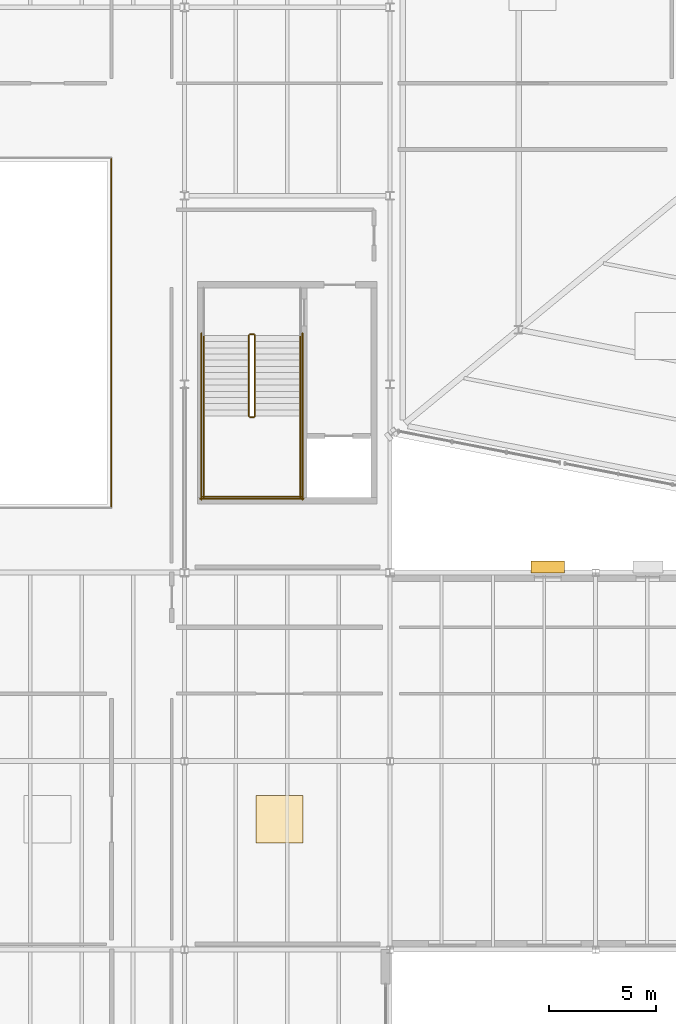
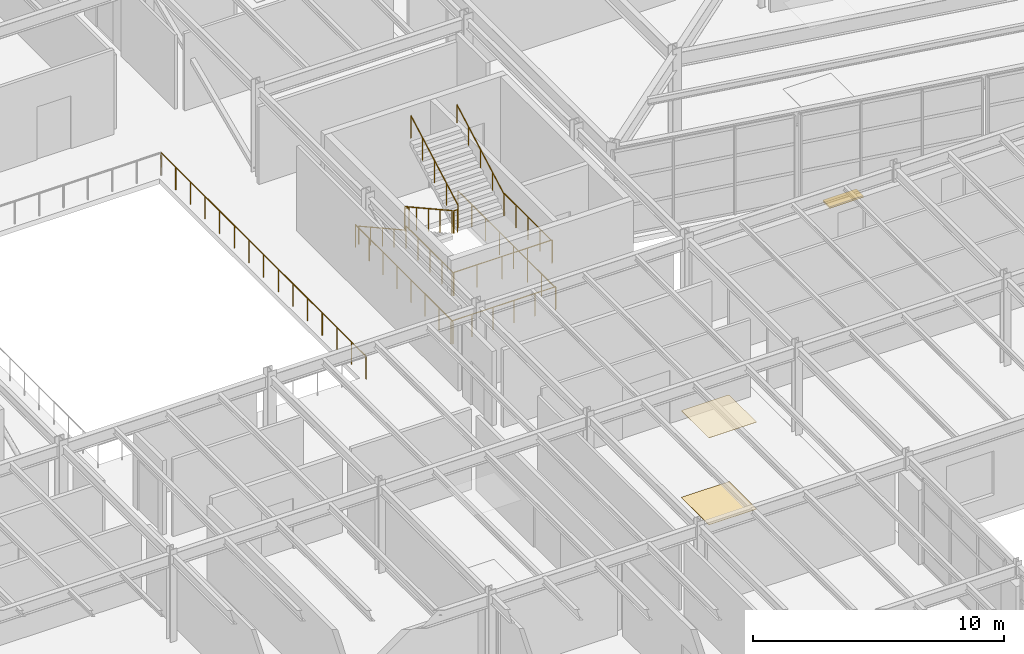
# One storey, part 69 of 77: 13 railings, 2 coverings, 1 shading device.
"""IFC4 building model written with IfcOpenShell, lengths in metres."""

from ifc_helpers import new_model, si_unit, direction, frame, origin, origin_2d, place, context, subcontext, project, spatial, rectangle, circle, extrude, material, layer, layer_set, type_object, element, save


model = new_model("IFC4")

# Units and contexts
model_context = context("Model", 3, precision=1e-05, world=origin(), true_north=direction((0.0, 1.0)))
body_context = subcontext(model_context, "Body", "Model", "MODEL_VIEW")
ifc_project = project(units=[si_unit("LENGTHUNIT", "METRE"), si_unit("AREAUNIT", "SQUARE_METRE"), si_unit("VOLUMEUNIT", "CUBIC_METRE"), si_unit("PLANEANGLEUNIT", "RADIAN"), si_unit("MASSUNIT", "GRAM", prefix="KILO")], contexts=[model_context])

# Site, building, storey
site_placement = place(None, origin())
site = spatial("IfcSite", under=ifc_project, at=site_placement, CompositionType="ELEMENT")
building_placement = place(site_placement, origin())
building = spatial("IfcBuilding", under=site, at=building_placement, Name="Sarnbrook Museum", CompositionType="ELEMENT")
storey_placement = place(building_placement, frame((0.0, 0.0, 5.60009765625)))
storey = spatial("IfcBuildingStorey", under=building, at=storey_placement, Name="L01", CompositionType="ELEMENT", Elevation=5.60009765625)

# Shading device
ifc_material_1 = material(Name="Patinated Architectural Bronze")
shading_device_type = type_object("IfcShadingDeviceType", Name="BriseSoleil_Horizontal", PredefinedType="SHUTTER", material=ifc_material_1)
shading_device_placement = place(storey_placement, frame((126.55908203125, 57.070068359375, 3.2646484375), z_axis=(0.0, 0.0, 1.0), x_axis=(1.0, 0.0, 0.0)))
element("IfcShadingDevice", 1, at=shading_device_placement, inside=storey, type_object=shading_device_type, Name="Horizontal Bronze Brise-Soleil BS-013", PredefinedType="SHUTTER", context=body_context, shape_type="SweptSolid", body=[
    extrude(rectangle(XDim=1.550048828125, YDim=0.550048828125, at=origin_2d()), origin(), (0.0, 0.0, 1.0), 0.090087890625),
])

# Coverings
ifc_material_2 = material(Name="Fire-Rated Acoustic Gypsum Plasterboard")
ifc_layer_1 = layer(ifc_material_2, 0.01806640625)
ifc_layer_set_1 = layer_set([ifc_layer_1], Name="Fire-Rated Acoustic Gypsum Plasterboard")
covering_type_1 = type_object("IfcCoveringType", Name="Ceil_Acoustic18", PredefinedType="CEILING", material=ifc_layer_set_1)
covering_1_placement = place(storey_placement, frame((114.034912109375, 45.284912109375, 4.23193359375), z_axis=(0.0, 0.0, 1.0), x_axis=(1.0, 0.0, 0.0)))
element("IfcCovering", 2, at=covering_1_placement, inside=storey, type_object=covering_type_1, Name="Acoustic Ceiling Baffle Panel L01-22", PredefinedType="CEILING", context=body_context, shape_type="SweptSolid", body=[
    extrude(rectangle(XDim=2.199951171875, YDim=2.199951171875, at=origin_2d()), origin(), (0.0, 0.0, 1.0), 0.01806640625),
])
ifc_material_3 = material(Name="Honed Bluestone and Marble Terrazzo Flooring", Category="masonry")
ifc_layer_2 = layer(ifc_material_3, 0.02001953125)
ifc_layer_set_2 = layer_set([ifc_layer_2], Name="Honed Bluestone and Marble Terrazzo Flooring")
covering_type_2 = type_object("IfcCoveringType", Name="Floor_Terrazzo20", PredefinedType="FLOORING", material=ifc_layer_set_2)
covering_2_placement = place(storey_placement, frame((114.034912109375, 45.284912109375, 0.0), z_axis=(0.0, 0.0, 1.0), x_axis=(1.0, 0.0, 0.0)))
element("IfcCovering", 3, at=covering_2_placement, inside=storey, type_object=covering_type_2, Name="Gallery Floor Finish Panel L01-22", PredefinedType="FLOORING", context=body_context, shape_type="SweptSolid", body=[
    extrude(rectangle(XDim=2.199951171875, YDim=2.199951171875, at=origin_2d()), origin(), (0.0, 0.0, 1.0), 0.02001953125),
])

# Railings
ifc_material_4 = material(Name="Brushed Stainless Steel Grade 316", Category="steel")
ifc_layer_3 = layer(ifc_material_4, 0.050048828125)
ifc_layer_set_3 = layer_set([ifc_layer_3], Name="Brushed Stainless Steel Grade 316")
railing_type_1 = type_object("IfcRailingType", Name="Guard_Int1120", PredefinedType="BALUSTRADE", material=ifc_layer_set_3)
railing_1_placement = place(storey_placement, frame((112.610107421875, 67.8798828125, 0.16064453125)))
element("IfcRailing", 4, at=railing_1_placement, inside=storey, type_object=railing_type_1, Name="L01 ST1 stair guard 1", PredefinedType="BALUSTRADE", context=body_context, shape_type="SweptSolid", body=[
    extrude(circle(Radius=0.02392578125, at=origin_2d()), frame((0.0, 0.0, 1.09619140625), z_axis=(0.0, -0.874645791573, 0.484762559697), x_axis=(1.0, 0.0, 0.0)), (0.0, 0.0, 1.0), 4.31005859375),
    extrude(circle(Radius=0.02099609375, at=origin_2d()), origin(), (0.0, 0.0, 1.0), 1.072021484375),
    extrude(circle(Radius=0.02099609375, at=origin_2d()), frame((0.0, -0.9423828125, 0.5224609375)), (0.0, 0.0, 1.0), 1.072021484375),
    extrude(circle(Radius=0.02099609375, at=origin_2d()), frame((0.0, -1.884765625, 1.044677734375)), (0.0, 0.0, 1.0), 1.072021484375),
    extrude(circle(Radius=0.02099609375, at=origin_2d()), frame((0.0, -2.827392578125, 1.56689453125)), (0.0, 0.0, 1.0), 1.072021484375),
    extrude(circle(Radius=0.02099609375, at=origin_2d()), frame((0.0, -3.769775390625, 2.08935546875)), (0.0, 0.0, 1.0), 1.072021484375),
])
railing_2_placement = place(storey_placement, frame((112.659912109375, 64.06005859375, 2.25)))
element("IfcRailing", 5, at=railing_2_placement, inside=storey, type_object=railing_type_1, Name="L01 ST1 stair guard 2", PredefinedType="BALUSTRADE", context=body_context, shape_type="SweptSolid", body=[
    extrude(circle(Radius=0.02392578125, at=origin_2d()), frame((0.0, 0.0, 1.09619140625), z_axis=(1.0, 0.0, 0.0), x_axis=(0.0, 1.0, 0.0)), (0.0, 0.0, 1.0), 0.18017578125),
    extrude(circle(Radius=0.02099609375, at=origin_2d()), origin(), (0.0, 0.0, 1.0), 1.072021484375),
    extrude(circle(Radius=0.02099609375, at=origin_2d()), frame((0.18017578125, 0.0, 0.0)), (0.0, 0.0, 1.0), 1.072021484375),
])
for number, where, name in (
    (6, (110.489990234375, 64.110107421875, 2.25), "L01 ST1 stair guard 3"),
    (7, (115.010009765625, 64.110107421875, 2.25), "L01 ST1 stair guard 4"),
):
    element("IfcRailing", number, at=place(storey_placement, frame(where)), inside=storey, type_object=railing_type_1, Name=name, PredefinedType="BALUSTRADE", context=body_context, shape_type="SweptSolid", body=[
        extrude(circle(Radius=0.02392578125, at=origin_2d()), frame((0.0, 0.0, 1.09619140625), z_axis=(0.0, -1.0, 0.0), x_axis=(1.0, 0.0, 0.0)), (0.0, 0.0, 1.0), 3.81005859375),
        extrude(circle(Radius=0.02099609375, at=origin_2d()), origin(), (0.0, 0.0, 1.0), 1.072021484375),
        extrude(circle(Radius=0.02099609375, at=origin_2d()), frame((0.0, -0.95263671875, 0.0)), (0.0, 0.0, 1.0), 1.072021484375),
        extrude(circle(Radius=0.02099609375, at=origin_2d()), frame((0.0, -1.905029296875, 0.0)), (0.0, 0.0, 1.0), 1.072021484375),
        extrude(circle(Radius=0.02099609375, at=origin_2d()), frame((0.0, -2.857421875, 0.0)), (0.0, 0.0, 1.0), 1.072021484375),
        extrude(circle(Radius=0.02099609375, at=origin_2d()), frame((0.0, -3.81005859375, 0.0)), (0.0, 0.0, 1.0), 1.072021484375),
    ])
railing_3_placement = place(storey_placement, frame((110.43994140625, 60.35009765625, 2.25)))
element("IfcRailing", 8, at=railing_3_placement, inside=storey, type_object=railing_type_1, Name="L01 ST1 stair guard 5", PredefinedType="BALUSTRADE", context=body_context, shape_type="SweptSolid", body=[
    extrude(circle(Radius=0.02392578125, at=origin_2d()), frame((0.0, 0.0, 1.09619140625), z_axis=(1.0, 0.0, 0.0), x_axis=(0.0, 1.0, 0.0)), (0.0, 0.0, 1.0), 4.6201171875),
    extrude(circle(Radius=0.02099609375, at=origin_2d()), origin(), (0.0, 0.0, 1.0), 1.072021484375),
    extrude(circle(Radius=0.02099609375, at=origin_2d()), frame((1.155029296875, 0.0, 0.0)), (0.0, 0.0, 1.0), 1.072021484375),
    extrude(circle(Radius=0.02099609375, at=origin_2d()), frame((2.31005859375, 0.0, 0.0)), (0.0, 0.0, 1.0), 1.072021484375),
    extrude(circle(Radius=0.02099609375, at=origin_2d()), frame((3.465087890625, 0.0, 0.0)), (0.0, 0.0, 1.0), 1.072021484375),
    extrude(circle(Radius=0.02099609375, at=origin_2d()), frame((4.6201171875, 0.0, 0.0)), (0.0, 0.0, 1.0), 1.072021484375),
])
railing_4_placement = place(storey_placement, frame((112.889892578125, 64.110107421875, 2.41064453125)))
element("IfcRailing", 9, at=railing_4_placement, inside=storey, type_object=railing_type_1, Name="L01 ST1 stair guard 6", PredefinedType="BALUSTRADE", context=body_context, shape_type="SweptSolid", body=[
    extrude(circle(Radius=0.02392578125, at=origin_2d()), frame((0.0, 0.0, 1.09619140625), z_axis=(0.0, 0.874645791573, 0.484762559697), x_axis=(-1.0, 0.0, 0.0)), (0.0, 0.0, 1.0), 4.31005859375),
    extrude(circle(Radius=0.02099609375, at=origin_2d()), origin(), (0.0, 0.0, 1.0), 1.072021484375),
    extrude(circle(Radius=0.02099609375, at=origin_2d()), frame((0.0, 0.9423828125, 0.5224609375)), (0.0, 0.0, 1.0), 1.072021484375),
    extrude(circle(Radius=0.02099609375, at=origin_2d()), frame((0.0, 1.884765625, 1.044677734375)), (0.0, 0.0, 1.0), 1.072021484375),
    extrude(circle(Radius=0.02099609375, at=origin_2d()), frame((0.0, 2.827392578125, 1.56689453125)), (0.0, 0.0, 1.0), 1.072021484375),
    extrude(circle(Radius=0.02099609375, at=origin_2d()), frame((0.0, 3.769775390625, 2.08935546875)), (0.0, 0.0, 1.0), 1.072021484375),
])
railing_5_placement = place(storey_placement, frame((112.659912109375, 67.929931640625, 0.0)))
element("IfcRailing", 10, at=railing_5_placement, inside=storey, type_object=railing_type_1, Name="L01 ST1 stair guard 7", PredefinedType="BALUSTRADE", context=body_context, shape_type="SweptSolid", body=[
    extrude(circle(Radius=0.02392578125, at=origin_2d()), frame((0.0, 0.0, 1.09619140625), z_axis=(1.0, 0.0, 0.0), x_axis=(0.0, 1.0, 0.0)), (0.0, 0.0, 1.0), 0.18017578125),
    extrude(circle(Radius=0.02099609375, at=origin_2d()), origin(), (0.0, 0.0, 1.0), 1.072021484375),
    extrude(circle(Radius=0.02099609375, at=origin_2d()), frame((0.18017578125, 0.0, 0.0)), (0.0, 0.0, 1.0), 1.072021484375),
])
for number, where, name in (
    (11, (110.389892578125, 67.97998046875, 0.0), "L01 ST1 stair guard 10"),
    (12, (115.110107421875, 67.97998046875, 0.0), "L01 ST1 stair guard 11"),
):
    element("IfcRailing", number, at=place(storey_placement, frame(where)), inside=storey, type_object=railing_type_1, Name=name, PredefinedType="BALUSTRADE", context=body_context, shape_type="SweptSolid", body=[
        extrude(circle(Radius=0.02392578125, at=origin_2d()), frame((0.0, 0.0, 1.09619140625), z_axis=(0.0, -1.0, 0.0), x_axis=(1.0, 0.0, 0.0)), (0.0, 0.0, 1.0), 7.780029296875),
        extrude(circle(Radius=0.02099609375, at=origin_2d()), origin(), (0.0, 0.0, 1.0), 1.072021484375),
        extrude(circle(Radius=0.02099609375, at=origin_2d()), frame((0.0, -1.111328125, 0.0)), (0.0, 0.0, 1.0), 1.072021484375),
        extrude(circle(Radius=0.02099609375, at=origin_2d()), frame((0.0, -2.222900390625, 0.0)), (0.0, 0.0, 1.0), 1.072021484375),
        extrude(circle(Radius=0.02099609375, at=origin_2d()), frame((0.0, -3.334228515625, 0.0)), (0.0, 0.0, 1.0), 1.072021484375),
        extrude(circle(Radius=0.02099609375, at=origin_2d()), frame((0.0, -4.44580078125, 0.0)), (0.0, 0.0, 1.0), 1.072021484375),
        extrude(circle(Radius=0.02099609375, at=origin_2d()), frame((0.0, -5.55712890625, 0.0)), (0.0, 0.0, 1.0), 1.072021484375),
        extrude(circle(Radius=0.02099609375, at=origin_2d()), frame((0.0, -6.668701171875, 0.0)), (0.0, 0.0, 1.0), 1.072021484375),
        extrude(circle(Radius=0.02099609375, at=origin_2d()), frame((0.0, -7.780029296875, 0.0)), (0.0, 0.0, 1.0), 1.072021484375),
    ])
railing_6_placement = place(storey_placement, frame((110.340087890625, 60.25, 0.0)))
element("IfcRailing", 13, at=railing_6_placement, inside=storey, type_object=railing_type_1, Name="L01 ST1 stair guard 12", PredefinedType="BALUSTRADE", context=body_context, shape_type="SweptSolid", body=[
    extrude(circle(Radius=0.02392578125, at=origin_2d()), frame((0.0, 0.0, 1.09619140625), z_axis=(1.0, 0.0, 0.0), x_axis=(0.0, 1.0, 0.0)), (0.0, 0.0, 1.0), 4.81982421875),
    extrude(circle(Radius=0.02099609375, at=origin_2d()), origin(), (0.0, 0.0, 1.0), 1.072021484375),
    extrude(circle(Radius=0.02099609375, at=origin_2d()), frame((0.9638671875, 0.0, 0.0)), (0.0, 0.0, 1.0), 1.072021484375),
    extrude(circle(Radius=0.02099609375, at=origin_2d()), frame((1.927978515625, 0.0, 0.0)), (0.0, 0.0, 1.0), 1.072021484375),
    extrude(circle(Radius=0.02099609375, at=origin_2d()), frame((2.891845703125, 0.0, 0.0)), (0.0, 0.0, 1.0), 1.072021484375),
    extrude(circle(Radius=0.02099609375, at=origin_2d()), frame((3.85595703125, 0.0, 0.0)), (0.0, 0.0, 1.0), 1.072021484375),
    extrude(circle(Radius=0.02099609375, at=origin_2d()), frame((4.81982421875, 0.0, 0.0)), (0.0, 0.0, 1.0), 1.072021484375),
])
railing_7_placement = place(storey_placement, frame((106.179931640625, 59.820068359375, 0.0)))
element("IfcRailing", 14, at=railing_7_placement, inside=storey, type_object=railing_type_1, Name="Atrium Gallery Balustrade L01-2", PredefinedType="BALUSTRADE", context=body_context, shape_type="SweptSolid", body=[
    extrude(circle(Radius=0.02392578125, at=origin_2d()), frame((0.0, 0.0, 1.09619140625), z_axis=(0.0, 1.0, 0.0), x_axis=(-1.0, 0.0, 0.0)), (0.0, 0.0, 1.0), 16.35986328125),
    extrude(circle(Radius=0.02099609375, at=origin_2d()), origin(), (0.0, 0.0, 1.0), 1.072021484375),
    extrude(circle(Radius=0.02099609375, at=origin_2d()), frame((0.0, 1.16845703125, 0.0)), (0.0, 0.0, 1.0), 1.072021484375),
    extrude(circle(Radius=0.02099609375, at=origin_2d()), frame((0.0, 2.337158203125, 0.0)), (0.0, 0.0, 1.0), 1.072021484375),
    extrude(circle(Radius=0.02099609375, at=origin_2d()), frame((0.0, 3.505615234375, 0.0)), (0.0, 0.0, 1.0), 1.072021484375),
    extrude(circle(Radius=0.02099609375, at=origin_2d()), frame((0.0, 4.67431640625, 0.0)), (0.0, 0.0, 1.0), 1.072021484375),
    extrude(circle(Radius=0.02099609375, at=origin_2d()), frame((0.0, 5.8427734375, 0.0)), (0.0, 0.0, 1.0), 1.072021484375),
    extrude(circle(Radius=0.02099609375, at=origin_2d()), frame((0.0, 7.011474609375, 0.0)), (0.0, 0.0, 1.0), 1.072021484375),
    extrude(circle(Radius=0.02099609375, at=origin_2d()), frame((0.0, 8.179931640625, 0.0)), (0.0, 0.0, 1.0), 1.072021484375),
    extrude(circle(Radius=0.02099609375, at=origin_2d()), frame((0.0, 9.348388671875, 0.0)), (0.0, 0.0, 1.0), 1.072021484375),
    extrude(circle(Radius=0.02099609375, at=origin_2d()), frame((0.0, 10.51708984375, 0.0)), (0.0, 0.0, 1.0), 1.072021484375),
    extrude(circle(Radius=0.02099609375, at=origin_2d()), frame((0.0, 11.685546875, 0.0)), (0.0, 0.0, 1.0), 1.072021484375),
    extrude(circle(Radius=0.02099609375, at=origin_2d()), frame((0.0, 12.854248046875, 0.0)), (0.0, 0.0, 1.0), 1.072021484375),
    extrude(circle(Radius=0.02099609375, at=origin_2d()), frame((0.0, 14.022705078125, 0.0)), (0.0, 0.0, 1.0), 1.072021484375),
    extrude(circle(Radius=0.02099609375, at=origin_2d()), frame((0.0, 15.19140625, 0.0)), (0.0, 0.0, 1.0), 1.072021484375),
    extrude(circle(Radius=0.02099609375, at=origin_2d()), frame((0.0, 16.35986328125, 0.0)), (0.0, 0.0, 1.0), 1.072021484375),
])
ifc_layer_4 = layer(ifc_material_4, 0.048095703125)
ifc_layer_set_4 = layer_set([ifc_layer_4], Name="Brushed Stainless Steel Grade 316")
railing_type_2 = type_object("IfcRailingType", Name="Handrail_920", PredefinedType="HANDRAIL", material=ifc_layer_set_4)
railing_8_placement = place(storey_placement, frame((110.489990234375, 67.8798828125, 0.16064453125)))
element("IfcRailing", 15, at=railing_8_placement, inside=storey, type_object=railing_type_2, Name="L01 ST1 stair handrail 1", PredefinedType="HANDRAIL", context=body_context, shape_type="SweptSolid", body=[
    extrude(circle(Radius=0.02392578125, at=origin_2d()), frame((0.0, 0.0, 0.8857421875), z_axis=(0.0, -0.874645791573, 0.484762559697), x_axis=(1.0, 0.0, 0.0)), (0.0, 0.0, 1.0), 4.31005859375),
    extrude(circle(Radius=0.02099609375, at=origin_2d()), origin(), (0.0, 0.0, 1.0), 0.86181640625),
    extrude(circle(Radius=0.02099609375, at=origin_2d()), frame((0.0, -0.9423828125, 0.5224609375)), (0.0, 0.0, 1.0), 0.86181640625),
    extrude(circle(Radius=0.02099609375, at=origin_2d()), frame((0.0, -1.884765625, 1.044677734375)), (0.0, 0.0, 1.0), 0.86181640625),
    extrude(circle(Radius=0.02099609375, at=origin_2d()), frame((0.0, -2.827392578125, 1.56689453125)), (0.0, 0.0, 1.0), 0.86181640625),
    extrude(circle(Radius=0.02099609375, at=origin_2d()), frame((0.0, -3.769775390625, 2.08935546875)), (0.0, 0.0, 1.0), 0.86181640625),
])
railing_9_placement = place(storey_placement, frame((115.010009765625, 64.110107421875, 2.41064453125)))
element("IfcRailing", 16, at=railing_9_placement, inside=storey, type_object=railing_type_2, Name="L01 ST1 stair handrail 2", PredefinedType="HANDRAIL", context=body_context, shape_type="SweptSolid", body=[
    extrude(circle(Radius=0.02392578125, at=origin_2d()), frame((0.0, 0.0, 0.8857421875), z_axis=(0.0, 0.874645791573, 0.484762559697), x_axis=(-1.0, 0.0, 0.0)), (0.0, 0.0, 1.0), 4.31005859375),
    extrude(circle(Radius=0.02099609375, at=origin_2d()), origin(), (0.0, 0.0, 1.0), 0.86181640625),
    extrude(circle(Radius=0.02099609375, at=origin_2d()), frame((0.0, 0.9423828125, 0.5224609375)), (0.0, 0.0, 1.0), 0.86181640625),
    extrude(circle(Radius=0.02099609375, at=origin_2d()), frame((0.0, 1.884765625, 1.044677734375)), (0.0, 0.0, 1.0), 0.86181640625),
    extrude(circle(Radius=0.02099609375, at=origin_2d()), frame((0.0, 2.827392578125, 1.56689453125)), (0.0, 0.0, 1.0), 0.86181640625),
    extrude(circle(Radius=0.02099609375, at=origin_2d()), frame((0.0, 3.769775390625, 2.08935546875)), (0.0, 0.0, 1.0), 0.86181640625),
])

save(model, "model.ifc")
